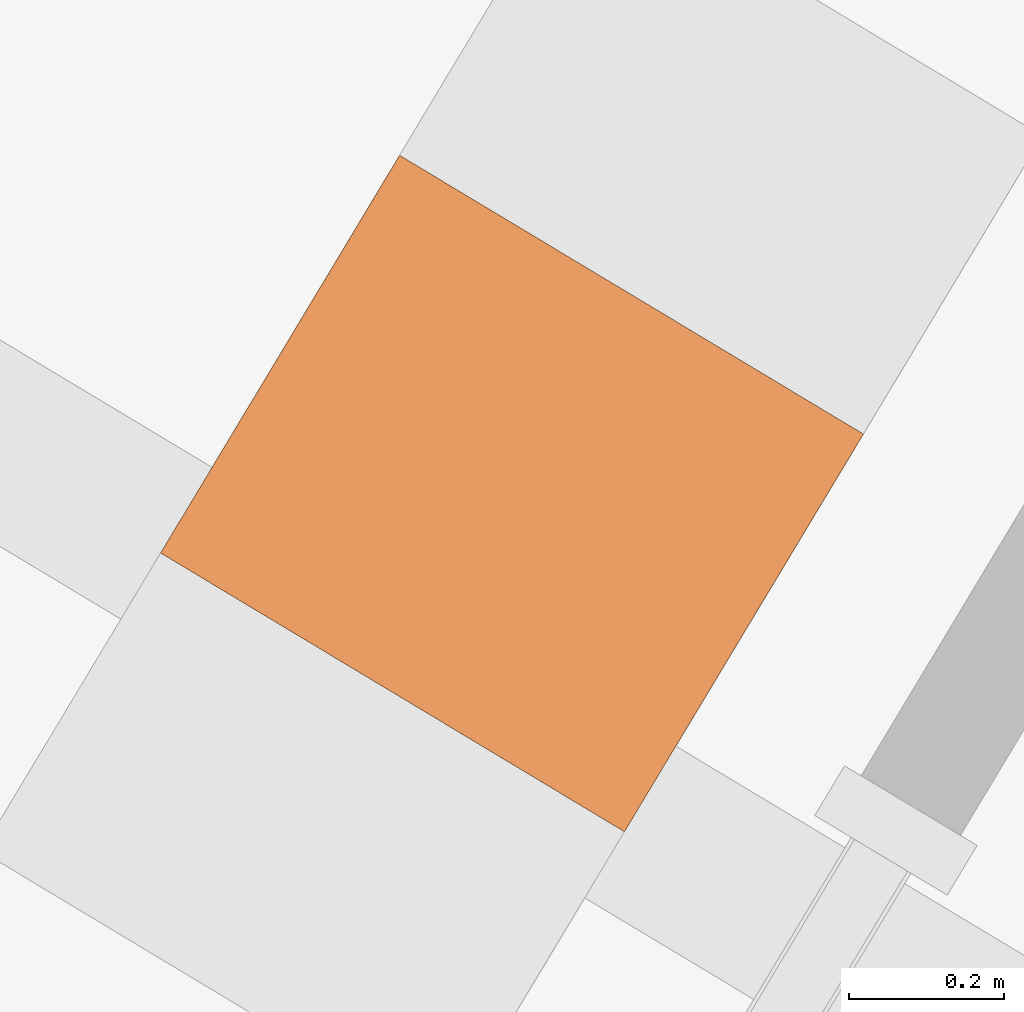
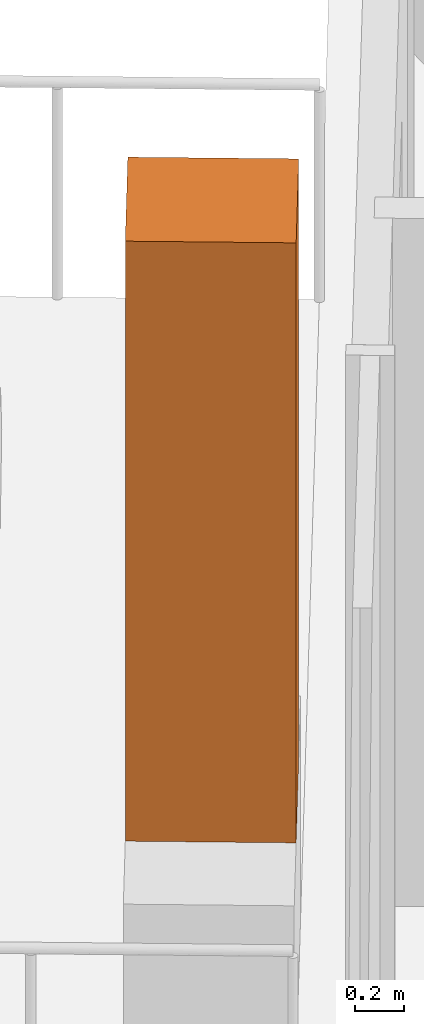
# One storey, part 18 of 18: 1 geographic element.
"""IFC4 building model written with IfcOpenShell, lengths in metres."""

from ifc_helpers import new_model, si_unit, direction, frame, origin, origin_2d, place, context, subcontext, project, spatial, rectangle, extrude, source, transform, mapped, material, type_object, element, save


model = new_model("IFC4")

# Units and contexts
model_context = context("Model", 3, precision=1e-05, world=origin(), true_north=direction((0.0, 1.0)))
body_context = subcontext(model_context, "Body", "Model", "MODEL_VIEW")
ifc_project = project(units=[si_unit("LENGTHUNIT", "METRE"), si_unit("AREAUNIT", "SQUARE_METRE"), si_unit("VOLUMEUNIT", "CUBIC_METRE"), si_unit("PLANEANGLEUNIT", "RADIAN"), si_unit("MASSUNIT", "GRAM", prefix="KILO")], contexts=[model_context])

# Site, building, storey
site_placement = place(None, origin())
site = spatial("IfcSite", under=ifc_project, at=site_placement, CompositionType="ELEMENT")
building_placement = place(site_placement, origin())
building = spatial("IfcBuilding", under=site, at=building_placement, Name="Triune Harvest Tower", CompositionType="ELEMENT")
storey_placement = place(building_placement, frame((0.0, 0.0, 197.89990234375)))
storey = spatial("IfcBuildingStorey", under=building, at=storey_placement, Name="L51", CompositionType="ELEMENT", Elevation=197.89990234375)

# Geographic element
ifc_material = material(Name="TREE-1 tree")
geographic_element_type = type_object("IfcGeographicElementType", Name="TREE-1 tree", PredefinedType="USERDEFINED", material=ifc_material)
shared_shape = source(origin(), body_context, "Body", "SweptSolid", [
    extrude(rectangle(XDim=0.60009765625, YDim=0.699951171875, at=origin_2d()), origin(), (0.0, 0.0, 1.0), 3.0),
])
geographic_element_placement = place(storey_placement, frame((-14.79345703125, 16.788330078125, 1.10009765625), z_axis=(0.0, 0.0, 1.0), x_axis=(-0.515036632219, -0.857168167557, 0.0)))
element("IfcGeographicElement", 1, at=geographic_element_placement, inside=storey, type_object=geographic_element_type, Name="Tree B5-F3 L51.4b", ObjectType="TREE", PredefinedType="USERDEFINED", context=body_context, shape_type="MappedRepresentation", body=[
    mapped(shared_shape, transform((0.0, 0.0, 0.0), scale=1.0)),
])

save(model, "model.ifc")
